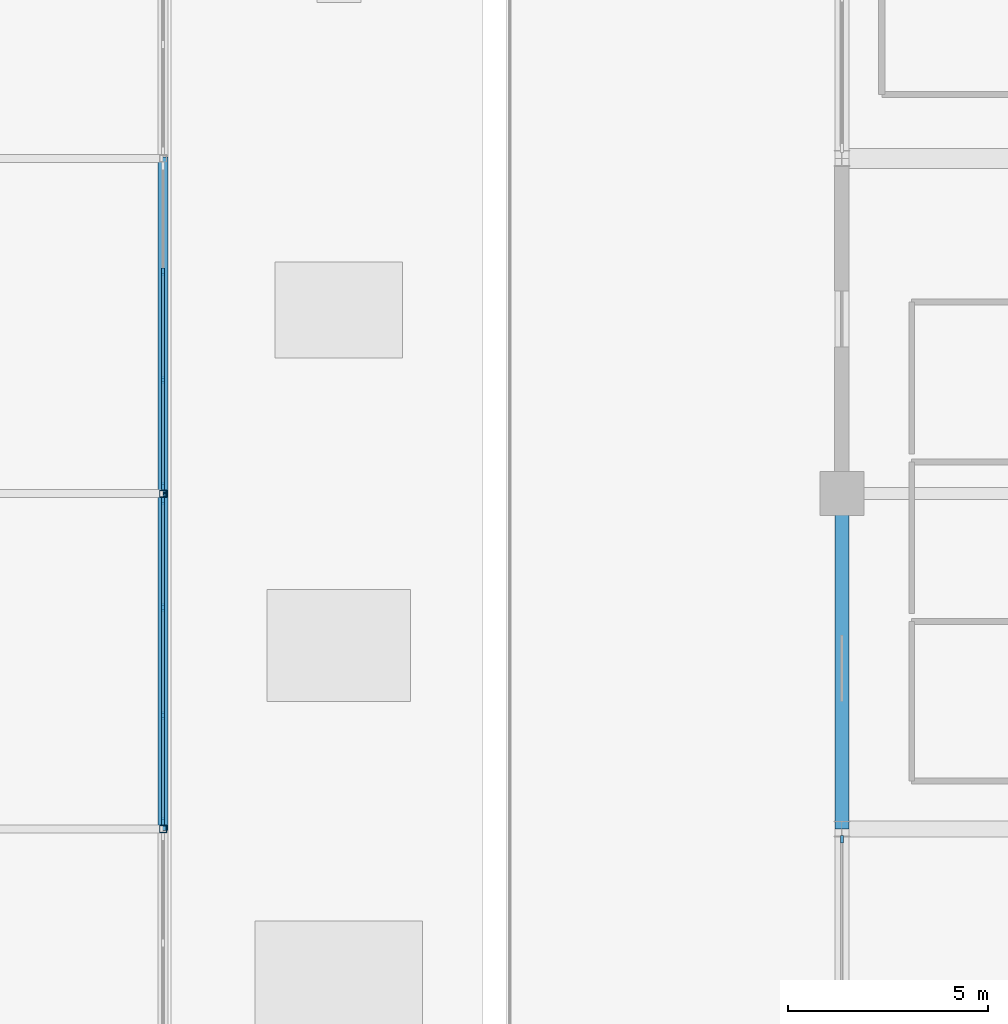
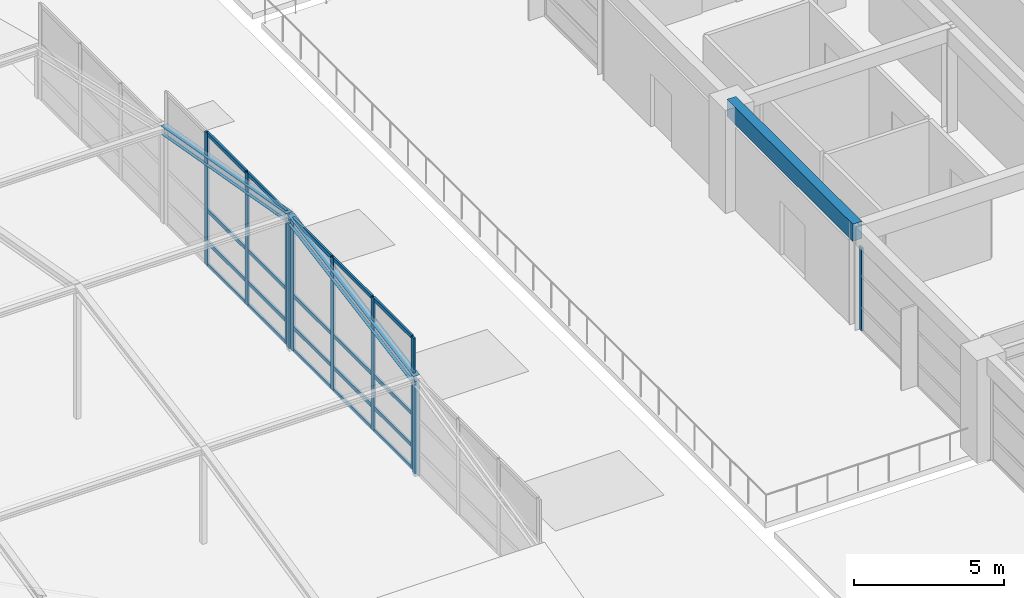
# One storey, part 18 of 34: 32 members, 1 beam, 3 elements without a shape of their own.
"""IFC4 building model written with IfcOpenShell, lengths in metres."""

from ifc_helpers import new_model, si_unit, direction, frame, origin, origin_2d, place, context, subcontext, project, spatial, rectangle, hollow_rectangle, i_section, extrude, material, material_profile, profile_set, type_object, element, aggregate, save


model = new_model("IFC4")

# Units and contexts
model_context = context("Model", 3, precision=1e-05, world=origin(), true_north=direction((0.0, 1.0)))
body_context = subcontext(model_context, "Body", "Model", "MODEL_VIEW")
ifc_project = project(units=[si_unit("LENGTHUNIT", "METRE"), si_unit("AREAUNIT", "SQUARE_METRE"), si_unit("VOLUMEUNIT", "CUBIC_METRE"), si_unit("PLANEANGLEUNIT", "RADIAN"), si_unit("MASSUNIT", "GRAM", prefix="KILO")], contexts=[model_context])

# Site, building, storey
site_placement = place(None, origin())
site = spatial("IfcSite", under=ifc_project, at=site_placement, CompositionType="ELEMENT")
building_placement = place(site_placement, origin())
building = spatial("IfcBuilding", under=site, at=building_placement, Name="Xuanlan Plaza Opera House", CompositionType="ELEMENT")
storey_placement = place(building_placement, frame((0.0, 0.0, 27.89990234375)))
storey = spatial("IfcBuildingStorey", under=building, at=storey_placement, Name="L06", CompositionType="ELEMENT", Elevation=27.89990234375)

# Curtain wall, member
ifc_material_1 = material(Name="Anodised Aluminium 6063-T6 and Low-E Glass", Category="aluminium")
curtain_wall_type_1 = type_object("IfcCurtainWallType", Name="ENV-CW-CW-03", PredefinedType="USERDEFINED", material=ifc_material_1)
curtain_wall_1_placement = place(storey_placement, origin())
curtain_wall_1 = element("IfcCurtainWall", 1, at=curtain_wall_1_placement, inside=storey, type_object=curtain_wall_type_1, Name="Unitised Curtain Wall L06-019", ObjectType="UNITISED CURTAIN WALL", PredefinedType="USERDEFINED")
ifc_material_2 = material(Name="Anodised Aluminium 6063-T6", Category="aluminium")
ifc_material_profile_1 = material_profile(ifc_material_2, rectangle(XDim=0.070068359375, YDim=0.179931640625, at=origin_2d()), Name="ALU-M 70x180")
ifc_profile_set_1 = profile_set([ifc_material_profile_1], Name="Anodised Aluminium 6063-T6")
member_type_1 = type_object("IfcMemberType", Name="ENV-CWM-02", PredefinedType="MULLION", material=ifc_profile_set_1)
member_1_placement = place(storey_placement, frame((126.0, 50.14501953125, 0.0), z_axis=(0.0, 0.0, 1.0), x_axis=(1.0, 0.0, 0.0)))
member_1 = element("IfcMember", 2, at=member_1_placement, type_object=member_type_1, Name="CW-03 mullion 1", PredefinedType="MULLION", context=body_context, shape_type="SweptSolid", body=[
    extrude(rectangle(XDim=0.070068359375, YDim=0.179931640625, at=origin_2d()), origin(), (0.0, 0.0, 1.0), 3.380126953125),
])
aggregate(curtain_wall_1, [member_1])

# Curtain wall, members
curtain_wall_type_2 = type_object("IfcCurtainWallType", Name="ENV-CW-CW-06", PredefinedType="USERDEFINED", material=ifc_material_1)
curtain_wall_2_placement = place(storey_placement, origin())
curtain_wall_2 = element("IfcCurtainWall", 3, at=curtain_wall_2_placement, inside=storey, type_object=curtain_wall_type_2, Name="Acoustic Glazed Wall SHL-L06-02", ObjectType="ACOUSTIC GLAZED WALL", PredefinedType="USERDEFINED")
ifc_material_profile_2 = material_profile(ifc_material_2, rectangle(XDim=0.074951171875, YDim=0.199951171875, at=origin_2d()), Name="ALU-M 75x200")
ifc_profile_set_2 = profile_set([ifc_material_profile_2], Name="Anodised Aluminium 6063-T6")
member_type_2 = type_object("IfcMemberType", Name="ENV-CWM-03", PredefinedType="MULLION", material=ifc_profile_set_2)
member_2_placement = place(storey_placement, frame((109.0, 50.58740234375, 0.0), z_axis=(0.0, 0.0, 1.0), x_axis=(-1.0, 0.0, 0.0)))
member_2 = element("IfcMember", 4, at=member_2_placement, type_object=member_type_2, Name="CW-06 mullion 1", PredefinedType="MULLION", context=body_context, shape_type="SweptSolid", body=[
    extrude(rectangle(XDim=0.074951171875, YDim=0.199951171875, at=origin_2d()), origin(), (0.0, 0.0, 1.0), 5.400146484375),
])
member_3_placement = place(storey_placement, frame((109.0, 53.25, 0.0), z_axis=(0.0, 0.0, 1.0), x_axis=(-1.0, 0.0, 0.0)))
member_3 = element("IfcMember", 5, at=member_3_placement, type_object=member_type_2, Name="CW-06 mullion 2", PredefinedType="MULLION", context=body_context, shape_type="SweptSolid", body=[
    extrude(rectangle(XDim=0.074951171875, YDim=0.199951171875, at=origin_2d()), origin(), (0.0, 0.0, 1.0), 5.400146484375),
])
member_4_placement = place(storey_placement, frame((109.0, 55.949951171875, 0.0), z_axis=(0.0, 0.0, 1.0), x_axis=(-1.0, 0.0, 0.0)))
member_4 = element("IfcMember", 6, at=member_4_placement, type_object=member_type_2, Name="CW-06 mullion 3", PredefinedType="MULLION", context=body_context, shape_type="SweptSolid", body=[
    extrude(rectangle(XDim=0.074951171875, YDim=0.199951171875, at=origin_2d()), origin(), (0.0, 0.0, 1.0), 5.400146484375),
])
member_5_placement = place(storey_placement, frame((109.0, 58.612548828125, 0.0), z_axis=(0.0, 0.0, 1.0), x_axis=(-1.0, 0.0, 0.0)))
member_5 = element("IfcMember", 7, at=member_5_placement, type_object=member_type_2, Name="CW-06 mullion 4", PredefinedType="MULLION", context=body_context, shape_type="SweptSolid", body=[
    extrude(rectangle(XDim=0.074951171875, YDim=0.199951171875, at=origin_2d()), origin(), (0.0, 0.0, 1.0), 5.400146484375),
])

curtain_wall_3_placement = place(storey_placement, origin())
curtain_wall_3 = element("IfcCurtainWall", 8, at=curtain_wall_3_placement, inside=storey, type_object=curtain_wall_type_2, Name="Acoustic Glazed Wall SHL-L06-03", ObjectType="ACOUSTIC GLAZED WALL", PredefinedType="USERDEFINED")
member_6_placement = place(storey_placement, frame((109.0, 58.987548828125, 0.0), z_axis=(0.0, 0.0, 1.0), x_axis=(-1.0, 0.0, 0.0)))
member_6 = element("IfcMember", 9, at=member_6_placement, type_object=member_type_2, Name="CW-06 mullion 1", PredefinedType="MULLION", context=body_context, shape_type="SweptSolid", body=[
    extrude(rectangle(XDim=0.074951171875, YDim=0.199951171875, at=origin_2d()), origin(), (0.0, 0.0, 1.0), 5.400146484375),
])
member_7_placement = place(storey_placement, frame((109.0, 61.64990234375, 0.0), z_axis=(0.0, 0.0, 1.0), x_axis=(-1.0, 0.0, 0.0)))
member_7 = element("IfcMember", 10, at=member_7_placement, type_object=member_type_2, Name="CW-06 mullion 2", PredefinedType="MULLION", context=body_context, shape_type="SweptSolid", body=[
    extrude(rectangle(XDim=0.074951171875, YDim=0.199951171875, at=origin_2d()), origin(), (0.0, 0.0, 1.0), 5.400146484375),
])
member_8_placement = place(storey_placement, frame((109.0, 64.35009765625, 0.0), z_axis=(0.0, 0.0, 1.0), x_axis=(-1.0, 0.0, 0.0)))
member_8 = element("IfcMember", 11, at=member_8_placement, type_object=member_type_2, Name="CW-06 mullion 3", PredefinedType="MULLION", context=body_context, shape_type="SweptSolid", body=[
    extrude(rectangle(XDim=0.074951171875, YDim=0.199951171875, at=origin_2d()), origin(), (0.0, 0.0, 1.0), 5.400146484375),
])

# Member
ifc_material_profile_3 = material_profile(ifc_material_2, rectangle(XDim=0.074951171875, YDim=0.14990234375, at=origin_2d()), Name="ALU-T 75x150")
ifc_profile_set_3 = profile_set([ifc_material_profile_3], Name="Anodised Aluminium 6063-T6")
member_type_3 = type_object("IfcMemberType", Name="ENV-CWT-03", PredefinedType="USERDEFINED", material=ifc_profile_set_3)
member_9_placement = place(storey_placement, frame((109.0, 50.625, 0.03759765625), z_axis=(0.0, 1.0, 0.0), x_axis=(-1.0, 0.0, 0.0)))
member_9 = element("IfcMember", 12, at=member_9_placement, type_object=member_type_3, Name="CW-06 transom 1.1", ObjectType="TRANSOM", PredefinedType="USERDEFINED", context=body_context, shape_type="SweptSolid", body=[
    extrude(rectangle(XDim=0.074951171875, YDim=0.14990234375, at=origin_2d()), origin(), (0.0, 0.0, 1.0), 2.58740234375),
])

member_10_placement = place(storey_placement, frame((109.0, 50.625, 0.9501953125), z_axis=(0.0, 1.0, 0.0), x_axis=(-1.0, 0.0, 0.0)))
member_10 = element("IfcMember", 13, at=member_10_placement, type_object=member_type_3, Name="CW-06 transom 1.2", ObjectType="TRANSOM", PredefinedType="USERDEFINED", context=body_context, shape_type="SweptSolid", body=[
    extrude(rectangle(XDim=0.074951171875, YDim=0.14990234375, at=origin_2d()), origin(), (0.0, 0.0, 1.0), 2.58740234375),
])

member_11_placement = place(storey_placement, frame((109.0, 50.625, 2.25), z_axis=(0.0, 1.0, 0.0), x_axis=(-1.0, 0.0, 0.0)))
member_11 = element("IfcMember", 14, at=member_11_placement, type_object=member_type_3, Name="CW-06 transom 1.3", ObjectType="TRANSOM", PredefinedType="USERDEFINED", context=body_context, shape_type="SweptSolid", body=[
    extrude(rectangle(XDim=0.074951171875, YDim=0.14990234375, at=origin_2d()), origin(), (0.0, 0.0, 1.0), 2.58740234375),
])

member_12_placement = place(storey_placement, frame((109.0, 50.625, 5.362548828125), z_axis=(0.0, 1.0, 0.0), x_axis=(-1.0, 0.0, 0.0)))
member_12 = element("IfcMember", 15, at=member_12_placement, type_object=member_type_3, Name="CW-06 transom 1.4", ObjectType="TRANSOM", PredefinedType="USERDEFINED", context=body_context, shape_type="SweptSolid", body=[
    extrude(rectangle(XDim=0.074951171875, YDim=0.14990234375, at=origin_2d()), origin(), (0.0, 0.0, 1.0), 2.58740234375),
])

member_13_placement = place(storey_placement, frame((109.0, 53.28759765625, 0.03759765625), z_axis=(0.0, 1.0, 0.0), x_axis=(-1.0, 0.0, 0.0)))
member_13 = element("IfcMember", 16, at=member_13_placement, type_object=member_type_3, Name="CW-06 transom 2.1", ObjectType="TRANSOM", PredefinedType="USERDEFINED", context=body_context, shape_type="SweptSolid", body=[
    extrude(rectangle(XDim=0.074951171875, YDim=0.14990234375, at=origin_2d()), origin(), (0.0, 0.0, 1.0), 2.625),
])

member_14_placement = place(storey_placement, frame((109.0, 53.28759765625, 0.9501953125), z_axis=(0.0, 1.0, 0.0), x_axis=(-1.0, 0.0, 0.0)))
member_14 = element("IfcMember", 17, at=member_14_placement, type_object=member_type_3, Name="CW-06 transom 2.2", ObjectType="TRANSOM", PredefinedType="USERDEFINED", context=body_context, shape_type="SweptSolid", body=[
    extrude(rectangle(XDim=0.074951171875, YDim=0.14990234375, at=origin_2d()), origin(), (0.0, 0.0, 1.0), 2.625),
])

member_15_placement = place(storey_placement, frame((109.0, 53.28759765625, 2.25), z_axis=(0.0, 1.0, 0.0), x_axis=(-1.0, 0.0, 0.0)))
member_15 = element("IfcMember", 18, at=member_15_placement, type_object=member_type_3, Name="CW-06 transom 2.3", ObjectType="TRANSOM", PredefinedType="USERDEFINED", context=body_context, shape_type="SweptSolid", body=[
    extrude(rectangle(XDim=0.074951171875, YDim=0.14990234375, at=origin_2d()), origin(), (0.0, 0.0, 1.0), 2.625),
])

member_16_placement = place(storey_placement, frame((109.0, 53.28759765625, 5.362548828125), z_axis=(0.0, 1.0, 0.0), x_axis=(-1.0, 0.0, 0.0)))
member_16 = element("IfcMember", 19, at=member_16_placement, type_object=member_type_3, Name="CW-06 transom 2.4", ObjectType="TRANSOM", PredefinedType="USERDEFINED", context=body_context, shape_type="SweptSolid", body=[
    extrude(rectangle(XDim=0.074951171875, YDim=0.14990234375, at=origin_2d()), origin(), (0.0, 0.0, 1.0), 2.625),
])

member_17_placement = place(storey_placement, frame((109.0, 55.987548828125, 0.03759765625), z_axis=(0.0, 1.0, 0.0), x_axis=(-1.0, 0.0, 0.0)))
member_17 = element("IfcMember", 20, at=member_17_placement, type_object=member_type_3, Name="CW-06 transom 3.1", ObjectType="TRANSOM", PredefinedType="USERDEFINED", context=body_context, shape_type="SweptSolid", body=[
    extrude(rectangle(XDim=0.074951171875, YDim=0.14990234375, at=origin_2d()), origin(), (0.0, 0.0, 1.0), 2.58740234375),
])

member_18_placement = place(storey_placement, frame((109.0, 55.987548828125, 0.9501953125), z_axis=(0.0, 1.0, 0.0), x_axis=(-1.0, 0.0, 0.0)))
member_18 = element("IfcMember", 21, at=member_18_placement, type_object=member_type_3, Name="CW-06 transom 3.2", ObjectType="TRANSOM", PredefinedType="USERDEFINED", context=body_context, shape_type="SweptSolid", body=[
    extrude(rectangle(XDim=0.074951171875, YDim=0.14990234375, at=origin_2d()), origin(), (0.0, 0.0, 1.0), 2.58740234375),
])

member_19_placement = place(storey_placement, frame((109.0, 55.987548828125, 2.25), z_axis=(0.0, 1.0, 0.0), x_axis=(-1.0, 0.0, 0.0)))
member_19 = element("IfcMember", 22, at=member_19_placement, type_object=member_type_3, Name="CW-06 transom 3.3", ObjectType="TRANSOM", PredefinedType="USERDEFINED", context=body_context, shape_type="SweptSolid", body=[
    extrude(rectangle(XDim=0.074951171875, YDim=0.14990234375, at=origin_2d()), origin(), (0.0, 0.0, 1.0), 2.58740234375),
])

member_20_placement = place(storey_placement, frame((109.0, 55.987548828125, 5.362548828125), z_axis=(0.0, 1.0, 0.0), x_axis=(-1.0, 0.0, 0.0)))
member_20 = element("IfcMember", 23, at=member_20_placement, type_object=member_type_3, Name="CW-06 transom 3.4", ObjectType="TRANSOM", PredefinedType="USERDEFINED", context=body_context, shape_type="SweptSolid", body=[
    extrude(rectangle(XDim=0.074951171875, YDim=0.14990234375, at=origin_2d()), origin(), (0.0, 0.0, 1.0), 2.58740234375),
])

aggregate(curtain_wall_2, [member_2, member_3, member_4, member_5, member_9, member_10, member_11, member_12, member_13, member_14, member_15, member_16, member_17, member_18, member_19, member_20])

member_21_placement = place(storey_placement, frame((109.0, 59.02490234375, 0.03759765625), z_axis=(0.0, 1.0, 0.0), x_axis=(-1.0, 0.0, 0.0)))
member_21 = element("IfcMember", 24, at=member_21_placement, type_object=member_type_3, Name="CW-06 transom 1.1", ObjectType="TRANSOM", PredefinedType="USERDEFINED", context=body_context, shape_type="SweptSolid", body=[
    extrude(rectangle(XDim=0.074951171875, YDim=0.14990234375, at=origin_2d()), origin(), (0.0, 0.0, 1.0), 2.587646484375),
])

member_22_placement = place(storey_placement, frame((109.0, 59.02490234375, 0.9501953125), z_axis=(0.0, 1.0, 0.0), x_axis=(-1.0, 0.0, 0.0)))
member_22 = element("IfcMember", 25, at=member_22_placement, type_object=member_type_3, Name="CW-06 transom 1.2", ObjectType="TRANSOM", PredefinedType="USERDEFINED", context=body_context, shape_type="SweptSolid", body=[
    extrude(rectangle(XDim=0.074951171875, YDim=0.14990234375, at=origin_2d()), origin(), (0.0, 0.0, 1.0), 2.587646484375),
])

member_23_placement = place(storey_placement, frame((109.0, 59.02490234375, 2.25), z_axis=(0.0, 1.0, 0.0), x_axis=(-1.0, 0.0, 0.0)))
member_23 = element("IfcMember", 26, at=member_23_placement, type_object=member_type_3, Name="CW-06 transom 1.3", ObjectType="TRANSOM", PredefinedType="USERDEFINED", context=body_context, shape_type="SweptSolid", body=[
    extrude(rectangle(XDim=0.074951171875, YDim=0.14990234375, at=origin_2d()), origin(), (0.0, 0.0, 1.0), 2.587646484375),
])

member_24_placement = place(storey_placement, frame((109.0, 59.02490234375, 5.362548828125), z_axis=(0.0, 1.0, 0.0), x_axis=(-1.0, 0.0, 0.0)))
member_24 = element("IfcMember", 27, at=member_24_placement, type_object=member_type_3, Name="CW-06 transom 1.4", ObjectType="TRANSOM", PredefinedType="USERDEFINED", context=body_context, shape_type="SweptSolid", body=[
    extrude(rectangle(XDim=0.074951171875, YDim=0.14990234375, at=origin_2d()), origin(), (0.0, 0.0, 1.0), 2.587646484375),
])

member_25_placement = place(storey_placement, frame((109.0, 61.6875, 0.03759765625), z_axis=(0.0, 1.0, 0.0), x_axis=(-1.0, 0.0, 0.0)))
member_25 = element("IfcMember", 28, at=member_25_placement, type_object=member_type_3, Name="CW-06 transom 2.1", ObjectType="TRANSOM", PredefinedType="USERDEFINED", context=body_context, shape_type="SweptSolid", body=[
    extrude(rectangle(XDim=0.074951171875, YDim=0.14990234375, at=origin_2d()), origin(), (0.0, 0.0, 1.0), 2.625),
])

member_26_placement = place(storey_placement, frame((109.0, 61.6875, 0.9501953125), z_axis=(0.0, 1.0, 0.0), x_axis=(-1.0, 0.0, 0.0)))
member_26 = element("IfcMember", 29, at=member_26_placement, type_object=member_type_3, Name="CW-06 transom 2.2", ObjectType="TRANSOM", PredefinedType="USERDEFINED", context=body_context, shape_type="SweptSolid", body=[
    extrude(rectangle(XDim=0.074951171875, YDim=0.14990234375, at=origin_2d()), origin(), (0.0, 0.0, 1.0), 2.625),
])

member_27_placement = place(storey_placement, frame((109.0, 61.6875, 2.25), z_axis=(0.0, 1.0, 0.0), x_axis=(-1.0, 0.0, 0.0)))
member_27 = element("IfcMember", 30, at=member_27_placement, type_object=member_type_3, Name="CW-06 transom 2.3", ObjectType="TRANSOM", PredefinedType="USERDEFINED", context=body_context, shape_type="SweptSolid", body=[
    extrude(rectangle(XDim=0.074951171875, YDim=0.14990234375, at=origin_2d()), origin(), (0.0, 0.0, 1.0), 2.625),
])

member_28_placement = place(storey_placement, frame((109.0, 61.6875, 5.362548828125), z_axis=(0.0, 1.0, 0.0), x_axis=(-1.0, 0.0, 0.0)))
member_28 = element("IfcMember", 31, at=member_28_placement, type_object=member_type_3, Name="CW-06 transom 2.4", ObjectType="TRANSOM", PredefinedType="USERDEFINED", context=body_context, shape_type="SweptSolid", body=[
    extrude(rectangle(XDim=0.074951171875, YDim=0.14990234375, at=origin_2d()), origin(), (0.0, 0.0, 1.0), 2.625),
])

aggregate(curtain_wall_3, [member_6, member_7, member_8, member_21, member_22, member_23, member_24, member_25, member_26, member_27, member_28])

# Beam
ifc_material_3 = material(Name="Concrete C40", Category="concrete")
ifc_material_profile_4 = material_profile(ifc_material_3, rectangle(XDim=0.35009765625, YDim=0.699951171875, at=origin_2d()), Name="RC-SPD 350x700")
ifc_profile_set_4 = profile_set([ifc_material_profile_4], Name="Concrete C40")
beam_type = type_object("IfcBeamType", Name="STR-BM-SP-02", PredefinedType="SPANDREL", material=ifc_profile_set_4)
beam_placement = place(storey_placement, frame((126.0, 50.39990234375, 3.85009765625), z_axis=(0.0, 1.0, 0.0), x_axis=(-1.0, 0.0, 0.0)))
element("IfcBeam", 32, at=beam_placement, inside=storey, type_object=beam_type, Name="Grid Beam Y L06 16/G-H", PredefinedType="SPANDREL", context=body_context, shape_type="SweptSolid", body=[
    extrude(rectangle(XDim=0.35009765625, YDim=0.699951171875, at=origin_2d()), origin(), (0.0, 0.0, 1.0), 8.400146484375),
])

# Members
ifc_material_4 = material(Name="Steel Q355B", Category="steel")
ifc_material_profile_5 = material_profile(ifc_material_4, hollow_rectangle(XDim=0.179931640625, YDim=0.179931640625, WallThickness=0.010009765625, at=origin_2d()), Name="SHS 180x180x10")
ifc_profile_set_5 = profile_set([ifc_material_profile_5], Name="Steel Q355B")
member_type_4 = type_object("IfcMemberType", Name="STR-MEM-ST-M2", PredefinedType="STRUT", material=ifc_profile_set_5)
member_29_placement = place(storey_placement, frame((109.0, 50.39990234375, -0.119873046875), z_axis=(0.0, 0.0, 1.0), x_axis=(1.0, 0.0, 0.0)))
element("IfcMember", 33, at=member_29_placement, inside=storey, type_object=member_type_4, Name="Auditorium Vault Arch Post 06-2", PredefinedType="STRUT", context=body_context, shape_type="SweptSolid", body=[
    extrude(hollow_rectangle(XDim=0.179931640625, YDim=0.179931640625, WallThickness=0.010009765625, at=origin_2d()), origin(), (0.0, 0.0, 1.0), 3.89990234375),
])
member_30_placement = place(storey_placement, frame((109.0, 58.800048828125, -0.119873046875), z_axis=(0.0, 0.0, 1.0), x_axis=(1.0, 0.0, 0.0)))
element("IfcMember", 34, at=member_30_placement, inside=storey, type_object=member_type_4, Name="Auditorium Vault Arch Post 06-3", PredefinedType="STRUT", context=body_context, shape_type="SweptSolid", body=[
    extrude(hollow_rectangle(XDim=0.179931640625, YDim=0.179931640625, WallThickness=0.010009765625, at=origin_2d()), origin(), (0.0, 0.0, 1.0), 5.39990234375),
])
ifc_material_profile_6 = material_profile(ifc_material_4, i_section(OverallWidth=0.25, OverallDepth=0.340087890625, WebThickness=0.009033203125, FlangeThickness=0.013916015625, FilletRadius=0.01611328125, at=origin_2d()), Name="HM 340x250x9x14")
ifc_profile_set_6 = profile_set([ifc_material_profile_6], Name="Steel Q355B")
member_type_5 = type_object("IfcMemberType", Name="STR-MEM-TC-01", PredefinedType="CHORD", material=ifc_profile_set_6)
member_31_placement = place(storey_placement, frame((109.0, 50.39990234375, 3.780029296875), z_axis=(0.0, 0.984428105997, 0.17578766772), x_axis=(-1.0, 0.0, 0.0)))
element("IfcMember", 35, at=member_31_placement, inside=storey, type_object=member_type_5, Name="Auditorium Parabolic Vault Arch Chord 06-3", PredefinedType="CHORD", context=body_context, shape_type="SweptSolid", body=[
    extrude(i_section(OverallWidth=0.25, OverallDepth=0.340087890625, WebThickness=0.009033203125, FlangeThickness=0.013916015625, FilletRadius=0.01611328125, at=origin_2d()), origin(), (0.0, 0.0, 1.0), 8.532958984375),
])
member_32_placement = place(storey_placement, frame((109.0, 58.800048828125, 5.280029296875), z_axis=(0.0, 0.984427221834, -0.175792619048), x_axis=(-1.0, 0.0, 0.0)))
element("IfcMember", 36, at=member_32_placement, inside=storey, type_object=member_type_5, Name="Auditorium Parabolic Vault Arch Chord 06-4", PredefinedType="CHORD", context=body_context, shape_type="SweptSolid", body=[
    extrude(i_section(OverallWidth=0.25, OverallDepth=0.340087890625, WebThickness=0.009033203125, FlangeThickness=0.013916015625, FilletRadius=0.01611328125, at=origin_2d()), origin(), (0.0, 0.0, 1.0), 8.53271484375),
])

save(model, "model.ifc")
